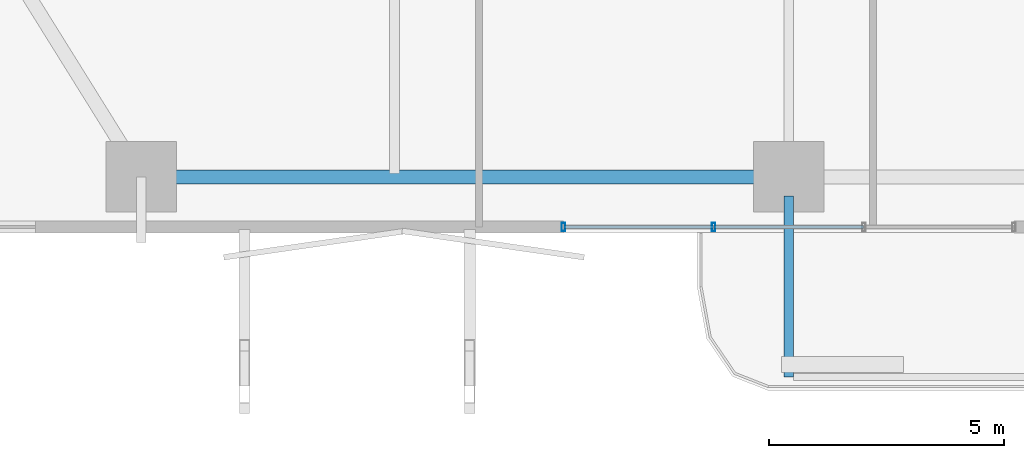
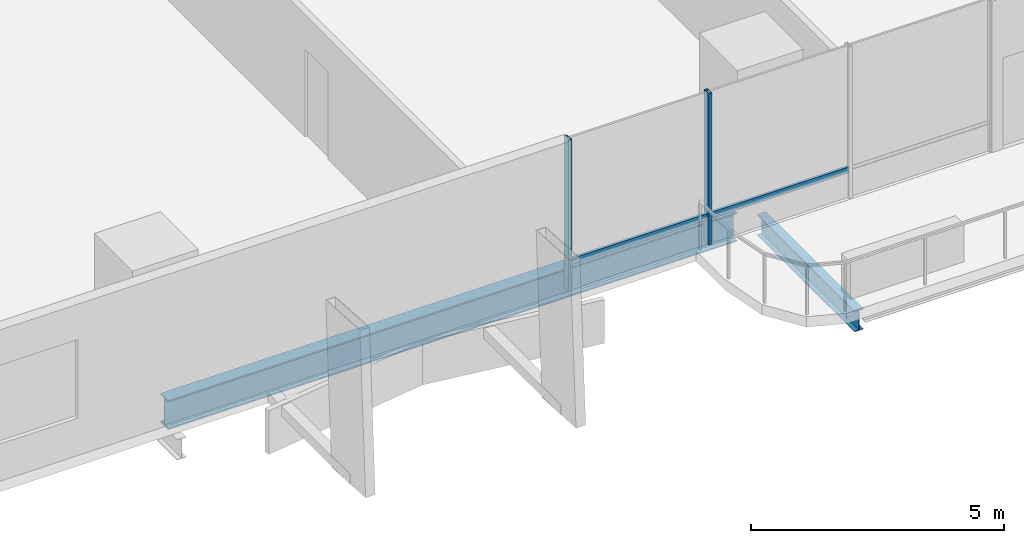
# One storey, part 2 of 24: 4 members, 2 beams, 1 element without a shape of its own.
"""IFC4 building model written with IfcOpenShell, lengths in metres."""

from ifc_helpers import new_model, si_unit, direction, frame, origin, origin_2d, place, context, subcontext, project, spatial, hollow_rectangle, i_section, extrude, material, layer, layer_set, material_profile, profile_set, type_object, element, aggregate, save


model = new_model("IFC4")

# Units and contexts
model_context = context("Model", 3, precision=1e-05, world=origin(), true_north=direction((0.0, 1.0)))
body_context = subcontext(model_context, "Body", "Model", "MODEL_VIEW")
ifc_project = project(units=[si_unit("LENGTHUNIT", "METRE"), si_unit("AREAUNIT", "SQUARE_METRE"), si_unit("VOLUMEUNIT", "CUBIC_METRE"), si_unit("PLANEANGLEUNIT", "RADIAN"), si_unit("MASSUNIT", "GRAM", prefix="KILO")], contexts=[model_context])

# Site, building, storey
site_placement = place(None, origin())
site = spatial("IfcSite", under=ifc_project, at=site_placement, CompositionType="ELEMENT")
building_placement = place(site_placement, origin())
building = spatial("IfcBuilding", under=site, at=building_placement, Name="Belovzor Exchange Tower", CompositionType="ELEMENT")
storey_placement = place(building_placement, frame((0.0, 0.0, 37.800048828125)))
storey = spatial("IfcBuildingStorey", under=building, at=storey_placement, Name="L08", CompositionType="ELEMENT", Elevation=37.800048828125)

# Beam
ifc_material_1 = material(Name="Steel S355", Category="steel")
ifc_material_profile_1 = material_profile(ifc_material_1, i_section(OverallWidth=0.199951171875, OverallDepth=0.5, WebThickness=0.01025390625, FlangeThickness=0.01611328125, at=origin_2d()))
ifc_profile_set_1 = profile_set([ifc_material_profile_1], Name="Steel S355")
beam_type_1 = type_object("IfcBeamType", Name="Planted Balcony Cantilever Beam IPE 500", PredefinedType="BEAM", material=ifc_profile_set_1)
beam_1_placement = place(storey_placement, frame((28.800048828125, 1.68798828125, -0.5), z_axis=(0.0, -1.0, 0.0), x_axis=(1.0, 0.0, 0.0)))
element("IfcBeam", 1, at=beam_1_placement, inside=storey, type_object=beam_type_1, Name="BC-500 Planted Balcony Cantilever Beam IPE 500", PredefinedType="BEAM", context=body_context, shape_type="SweptSolid", body=[
    extrude(i_section(OverallWidth=0.199951171875, OverallDepth=0.5, WebThickness=0.01025390625, FlangeThickness=0.01611328125, at=origin_2d()), origin(), (0.0, 0.0, 1.0), 3.85009765625),
])

# Curtain wall, members
ifc_material_2 = material(Name="Anodised Aluminium Framing", Category="aluminium")
ifc_layer = layer(ifc_material_2, 0.179931640625)
ifc_layer_set = layer_set([ifc_layer], Name="Anodised Aluminium Framing")
curtain_wall_type = type_object("IfcCurtainWallType", Name="Recessed Loggia Low-Iron Triple-Glazed Curtain Wall", PredefinedType="NOTDEFINED", material=ifc_layer_set)
curtain_wall_placement = place(storey_placement, origin())
curtain_wall = element("IfcCurtainWall", 2, at=curtain_wall_placement, inside=storey, type_object=curtain_wall_type, Name="CW3 Recessed Loggia Low-Iron Triple-Glazed Curtain Wall L08", PredefinedType="NOTDEFINED")
ifc_material_3 = material(Name="Steel S355", Category="steel")
ifc_material_profile_2 = material_profile(ifc_material_3, hollow_rectangle(XDim=0.074951171875, YDim=0.179931640625, WallThickness=0.0048828125, at=origin_2d()))
ifc_profile_set_2 = profile_set([ifc_material_profile_2], Name="Steel S355")
member_type_1 = type_object("IfcMemberType", Name="Thermally Broken Curtain Wall Mullion 180x75", PredefinedType="MULLION", material=ifc_profile_set_2)
member_1_placement = place(storey_placement, frame((27.199951171875, 1.030029296875, 0.0), z_axis=(0.0, 0.0, 1.0), x_axis=(-1.0, 0.0, 0.0)))
member_1 = element("IfcMember", 3, at=member_1_placement, type_object=member_type_1, Name="CW-M180 Curtain Wall Mullion 3", PredefinedType="MULLION", context=body_context, shape_type="SweptSolid", body=[
    extrude(hollow_rectangle(XDim=0.074951171875, YDim=0.179931640625, WallThickness=0.0048828125, at=origin_2d()), origin(), (0.0, 0.0, 1.0), 3.64990234375),
])
member_2_placement = place(storey_placement, frame((24.0, 1.030029296875, 0.0), z_axis=(0.0, 0.0, 1.0), x_axis=(-1.0, 0.0, 0.0)))
member_2 = element("IfcMember", 4, at=member_2_placement, type_object=member_type_1, Name="CW-M180 Curtain Wall Mullion 4", PredefinedType="MULLION", context=body_context, shape_type="SweptSolid", body=[
    extrude(hollow_rectangle(XDim=0.074951171875, YDim=0.179931640625, WallThickness=0.0048828125, at=origin_2d()), origin(), (0.0, 0.0, 1.0), 3.64990234375),
])
ifc_material_4 = material(Name="Steel S355", Category="steel")
ifc_material_profile_3 = material_profile(ifc_material_4, hollow_rectangle(XDim=0.06005859375, YDim=0.14990234375, WallThickness=0.00390625, at=origin_2d()))
ifc_profile_set_3 = profile_set([ifc_material_profile_3], Name="Steel S355")
member_type_2 = type_object("IfcMemberType", Name="Thermally Broken Curtain Wall Transom 150x60", PredefinedType="USERDEFINED", material=ifc_profile_set_3)
member_3_placement = place(storey_placement, frame((30.39208984375, 1.030029296875, 0.64990234375), z_axis=(-1.0, 0.0, 0.0), x_axis=(0.0, -1.0, 0.0)))
member_3 = element("IfcMember", 5, at=member_3_placement, type_object=member_type_2, Name="CW-T150 Curtain Wall Transom 2", ObjectType="TRANSOM", PredefinedType="USERDEFINED", context=body_context, shape_type="SweptSolid", body=[
    extrude(hollow_rectangle(XDim=0.06005859375, YDim=0.14990234375, WallThickness=0.00390625, at=origin_2d()), origin(), (0.0, 0.0, 1.0), 3.18408203125),
])
member_4_placement = place(storey_placement, frame((27.19189453125, 1.030029296875, 0.64990234375), z_axis=(-1.0, 0.0, 0.0), x_axis=(0.0, -1.0, 0.0)))
member_4 = element("IfcMember", 6, at=member_4_placement, type_object=member_type_2, Name="CW-T150 Curtain Wall Transom 3", ObjectType="TRANSOM", PredefinedType="USERDEFINED", context=body_context, shape_type="SweptSolid", body=[
    extrude(hollow_rectangle(XDim=0.06005859375, YDim=0.14990234375, WallThickness=0.00390625, at=origin_2d()), origin(), (0.0, 0.0, 1.0), 3.183837890625),
])
aggregate(curtain_wall, [member_1, member_2, member_3, member_4])

# Beam
ifc_material_5 = material(Name="Steel S355", Category="steel")
ifc_material_profile_4 = material_profile(ifc_material_5, i_section(OverallWidth=0.300048828125, OverallDepth=0.699951171875, WebThickness=0.01708984375, FlangeThickness=0.031982421875, at=origin_2d()))
ifc_profile_set_4 = profile_set([ifc_material_profile_4], Name="Steel S355")
beam_type_2 = type_object("IfcBeamType", Name="Zone 1 Primary Perimeter Girder HEB 700", PredefinedType="BEAM", material=ifc_profile_set_4)
beam_2_placement = place(storey_placement, frame((15.412109375, 2.10009765625, -0.60009765625), z_axis=(1.0, 0.0, 0.0), x_axis=(0.0, 1.0, 0.0)))
element("IfcBeam", 7, at=beam_2_placement, inside=storey, type_object=beam_type_2, Name="FG-Z1 Zone 1 Primary Perimeter Girder HEB 700", PredefinedType="BEAM", context=body_context, shape_type="SweptSolid", body=[
    extrude(i_section(OverallWidth=0.300048828125, OverallDepth=0.699951171875, WebThickness=0.01708984375, FlangeThickness=0.031982421875, at=origin_2d()), origin(), (0.0, 0.0, 1.0), 12.974853515625),
])

save(model, "model.ifc")
